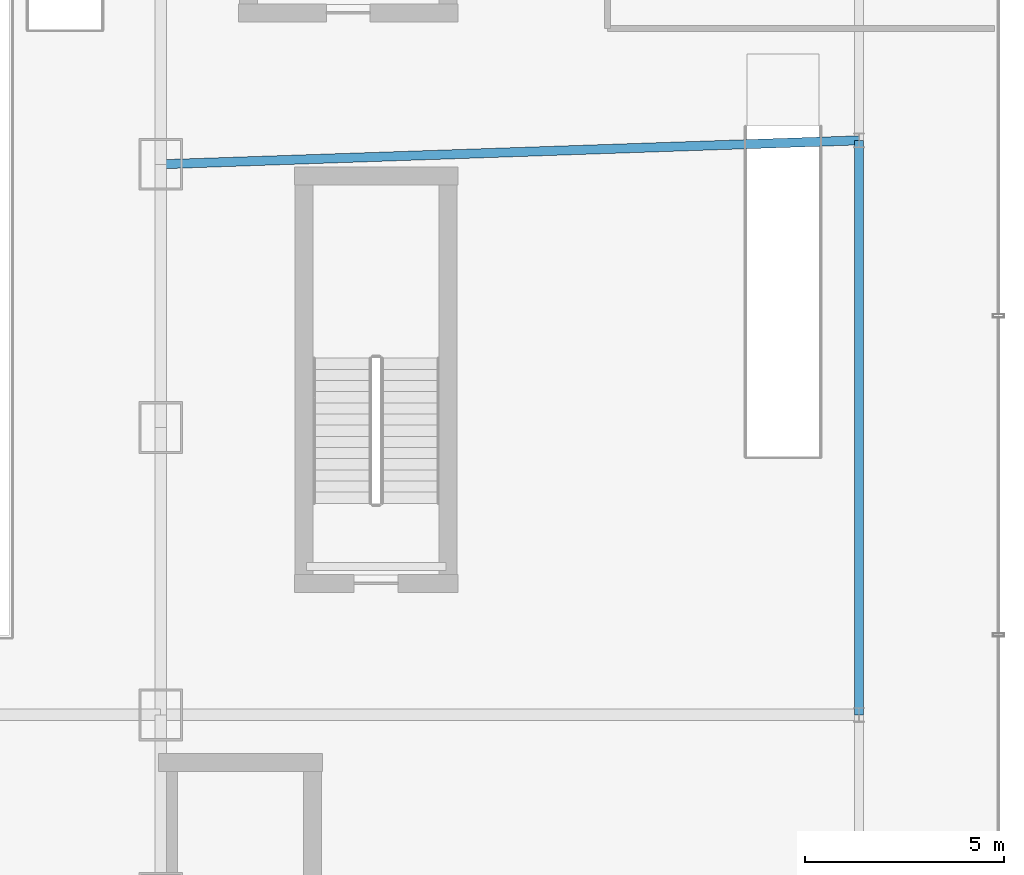
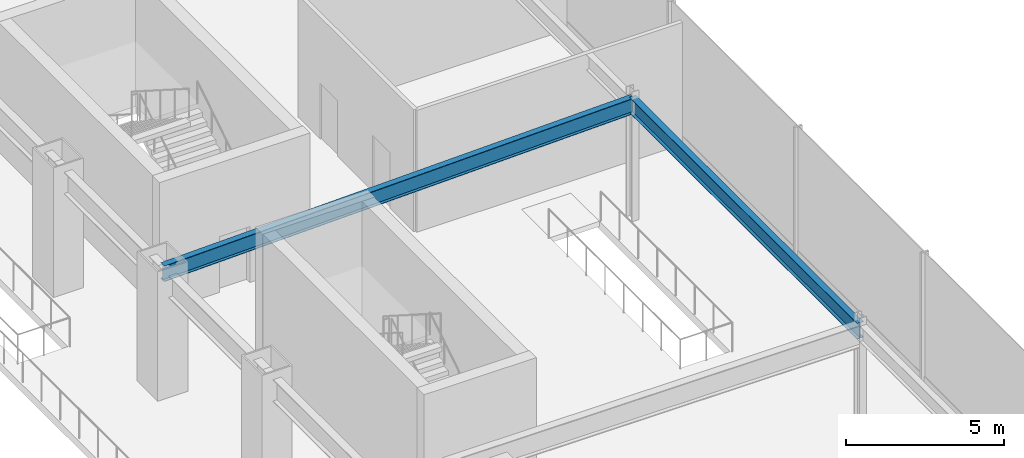
# One storey, part 22 of 39: 2 beams.
"""IFC4 building model written with IfcOpenShell, lengths in metres."""

from ifc_helpers import new_model, si_unit, derived_unit, direction, frame, origin, origin_2d, place, context, subcontext, project, spatial, i_section, extrude, source, transform, mapped, material, material_profile, profile_set, type_object, element, save


model = new_model("IFC4")

# Units and contexts
model_context = context("Model", 3, precision=1e-05, world=origin(), true_north=direction((0.0, 1.0)))
body_context = subcontext(model_context, "Body", "Model", "MODEL_VIEW")
ifc_project = project(units=[si_unit("LENGTHUNIT", "METRE"), si_unit("AREAUNIT", "SQUARE_METRE"), si_unit("VOLUMEUNIT", "CUBIC_METRE"), si_unit("PLANEANGLEUNIT", "RADIAN"), si_unit("MASSUNIT", "GRAM", prefix="KILO"), derived_unit("THERMALTRANSMITTANCEUNIT", [(si_unit("POWERUNIT", "WATT"), 1), (si_unit("LENGTHUNIT", "METRE"), -2), (si_unit("THERMODYNAMICTEMPERATUREUNIT", "KELVIN"), -1)])], contexts=[model_context])

# Site, building, storey
site_placement = place(None, origin())
site = spatial("IfcSite", under=ifc_project, at=site_placement, CompositionType="ELEMENT")
building_placement = place(site_placement, origin())
building = spatial("IfcBuilding", under=site, at=building_placement, Name="Skarnbrae Concourse Arena and Tower", CompositionType="ELEMENT")
storey_placement = place(building_placement, frame((0.0, 0.0, 11.0)))
storey = spatial("IfcBuildingStorey", under=building, at=storey_placement, Name="L02", CompositionType="ELEMENT", Elevation=11.0)

# Beams
ifc_material = material(Name="Steel CSA G40.21 350W", Category="steel")
ifc_material_profile = material_profile(ifc_material, i_section(OverallWidth=0.22802734375, OverallDepth=0.60791015625, WebThickness=0.01123046875, FlangeThickness=0.017333984375, at=origin_2d()), Name="W610X113")
ifc_profile_set = profile_set([ifc_material_profile], Name="Steel CSA G40.21 350W")
beam_type = type_object("IfcBeamType", Name="BM-GIRD-W610X113", PredefinedType="BEAM", material=ifc_profile_set)
shared_shape_1 = source(origin(), body_context, "Body", "SweptSolid", [
    extrude(i_section(OverallWidth=0.22802734375, OverallDepth=0.60791015625, WebThickness=0.01123046875, FlangeThickness=0.017333984375, at=origin_2d()), origin(), (0.0, 0.0, 1.0), 14.39990234375),
])
beam_1_placement = place(storey_placement, frame((78.5, 14.0, 4.39599609375), z_axis=(0.0, 1.0, 0.0), x_axis=(-1.0, 0.0, 0.0)))
element("IfcBeam", 1, at=beam_1_placement, inside=storey, type_object=beam_type, Name="L02 Podium outer east girder 2", PredefinedType="BEAM", context=body_context, shape_type="MappedRepresentation", body=[
    mapped(shared_shape_1, transform((0.0, 0.0, 0.0))),
])
shared_shape_2 = source(origin(), body_context, "Body", "SweptSolid", [
    extrude(i_section(OverallWidth=0.22802734375, OverallDepth=0.60791015625, WebThickness=0.01123046875, FlangeThickness=0.017333984375, at=origin_2d()), origin(), (0.0, 0.0, 1.0), 17.51025390625),
])
beam_2_placement = place(storey_placement, frame((61.0, 27.800048828125, 4.39599609375), z_axis=(0.999413049025, 0.03425722463, 0.0), x_axis=(-0.03425722463, 0.999413049025, 0.0)))
element("IfcBeam", 2, at=beam_2_placement, inside=storey, type_object=beam_type, Name="L02 East concourse tie girder", PredefinedType="BEAM", context=body_context, shape_type="MappedRepresentation", body=[
    mapped(shared_shape_2, transform((0.0, 0.0, 0.0))),
])

save(model, "model.ifc")
